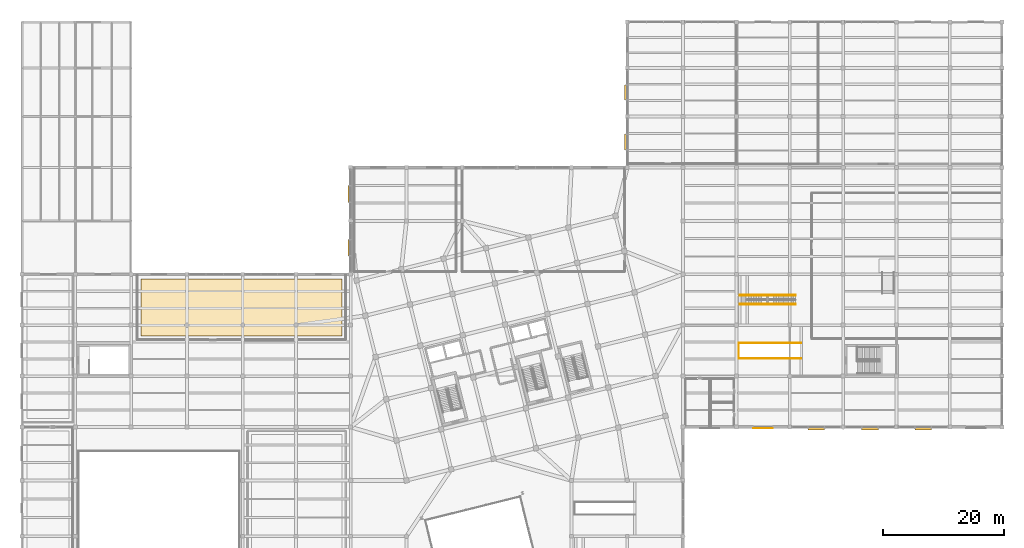
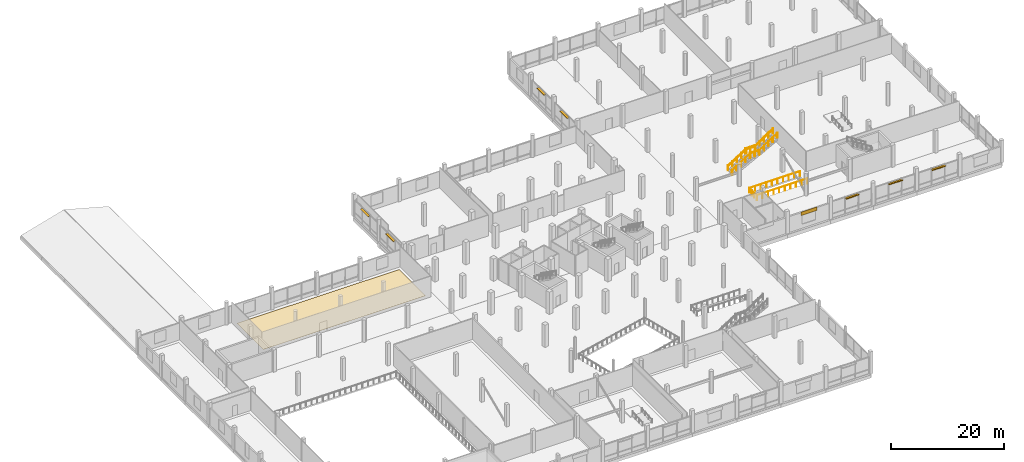
# One storey, part 70 of 71: 15 railings, 7 shading devices, 2 coverings.
"""IFC4 building model written with IfcOpenShell, lengths in metres."""

from ifc_helpers import new_model, si_unit, direction, frame, origin, origin_2d, place, context, subcontext, project, spatial, polyline, rectangle, circle, outline, extrude, material, layer, layer_set, type_object, element, save


model = new_model("IFC4")

# Units and contexts
model_context = context("Model", 3, precision=1e-05, world=origin(), true_north=direction((0.0, 1.0)))
body_context = subcontext(model_context, "Body", "Model", "MODEL_VIEW")
ifc_project = project(units=[si_unit("LENGTHUNIT", "METRE"), si_unit("AREAUNIT", "SQUARE_METRE"), si_unit("VOLUMEUNIT", "CUBIC_METRE"), si_unit("PLANEANGLEUNIT", "RADIAN"), si_unit("MASSUNIT", "GRAM", prefix="KILO")], contexts=[model_context])

# Site, building, storey
site_placement = place(None, origin())
site = spatial("IfcSite", under=ifc_project, at=site_placement, CompositionType="ELEMENT")
building_placement = place(site_placement, origin())
building = spatial("IfcBuilding", under=site, at=building_placement, Name="Meriwether Solvik Hall", CompositionType="ELEMENT")
storey_placement = place(building_placement, frame((0.0, 0.0, 5.10009765625)))
storey = spatial("IfcBuildingStorey", under=building, at=storey_placement, Name="L01", CompositionType="ELEMENT", Elevation=5.10009765625)

# Coverings
ifc_material_1 = material(Name="Glazed Extruded Terracotta Ceramic", Category="masonry")
ifc_layer_1 = layer(ifc_material_1, 0.044921875)
ifc_layer_set_1 = layer_set([ifc_layer_1], Name="Glazed Extruded Terracotta Ceramic")
covering_type_1 = type_object("IfcCoveringType", Name="COV-CLAD-TERRA", PredefinedType="CLADDING", material=ifc_layer_set_1)
covering_1_placement = place(storey_placement, frame((127.39990234375, 49.824951171875, 2.809814453125), z_axis=(0.0, 0.0, 1.0), x_axis=(-1.0, 0.0, 0.0)))
element("IfcCovering", 1, at=covering_1_placement, inside=storey, type_object=covering_type_1, Name="L01 Facade Cladding XF_14_13", PredefinedType="CLADDING", context=body_context, shape_type="SweptSolid", body=[
    extrude(rectangle(XDim=3.199951171875, YDim=0.044921875, at=origin_2d()), origin(), (0.0, 0.0, 1.0), 0.75),
])
ifc_material_2 = material(Name="Solid White Oak Strip Timber", Category="wood")
ifc_layer_2 = layer(ifc_material_2, 0.028076171875)
ifc_layer_set_2 = layer_set([ifc_layer_2], Name="Solid White Oak Strip Timber")
covering_type_2 = type_object("IfcCoveringType", Name="COV-FLR-OAK", PredefinedType="FLOORING", material=ifc_layer_set_2)
covering_2_placement = place(storey_placement, origin())
element("IfcCovering", 2, at=covering_2_placement, inside=storey, type_object=covering_type_2, Name="Civic Arts and Ceramic Studio Finish Flooring", PredefinedType="FLOORING", context=body_context, shape_type="SweptSolid", body=[
    extrude(outline(polyline([(24.85009765625, 65.050048828125), (24.85009765625, 74.39990234375), (57.949951171875, 74.39990234375), (57.949951171875, 65.050048828125), (24.85009765625, 65.050048828125)])), origin(), (0.0, 0.0, 1.0), 0.02783203125),
])

# Railings
ifc_material_3 = material(Name="Steel A36 Galvanised", Category="steel")
ifc_layer_3 = layer(ifc_material_3, 0.054931640625)
ifc_layer_set_3 = layer_set([ifc_layer_3], Name="Steel A36 Galvanised")
railing_type_1 = type_object("IfcRailingType", Name="RAIL-STR-GUARD", PredefinedType="GUARDRAIL", material=ifc_layer_set_3)
railing_1_placement = place(storey_placement, frame((133.68994140625, 61.31005859375, 0.0)))
element("IfcRailing", 3, at=railing_1_placement, inside=storey, type_object=railing_type_1, Name="Stair ST-LB2 Arrival Well Guardrail (L01) 1", PredefinedType="GUARDRAIL", context=body_context, shape_type="SweptSolid", body=[
    extrude(circle(Radius=0.02392578125, at=origin_2d()), frame((0.0, 0.0, 1.09619140625), z_axis=(-1.0, 0.0, 0.0), x_axis=(0.0, -1.0, 0.0)), (0.0, 0.0, 1.0), 10.267822265625),
    extrude(circle(Radius=0.02099609375, at=origin_2d()), origin(), (0.0, 0.0, 1.0), 1.072021484375),
    extrude(circle(Radius=0.02099609375, at=origin_2d()), frame((-1.140869140625, 0.0, 0.0)), (0.0, 0.0, 1.0), 1.072021484375),
    extrude(circle(Radius=0.02099609375, at=origin_2d()), frame((-2.28173828125, 0.0, 0.0)), (0.0, 0.0, 1.0), 1.072021484375),
    extrude(circle(Radius=0.02099609375, at=origin_2d()), frame((-3.422607421875, 0.0, 0.0)), (0.0, 0.0, 1.0), 1.072021484375),
    extrude(circle(Radius=0.02099609375, at=origin_2d()), frame((-4.5634765625, 0.0, 0.0)), (0.0, 0.0, 1.0), 1.072021484375),
    extrude(circle(Radius=0.02099609375, at=origin_2d()), frame((-5.704345703125, 0.0, 0.0)), (0.0, 0.0, 1.0), 1.072021484375),
    extrude(circle(Radius=0.02099609375, at=origin_2d()), frame((-6.84521484375, 0.0, 0.0)), (0.0, 0.0, 1.0), 1.072021484375),
    extrude(circle(Radius=0.02099609375, at=origin_2d()), frame((-7.986083984375, 0.0, 0.0)), (0.0, 0.0, 1.0), 1.072021484375),
    extrude(circle(Radius=0.02099609375, at=origin_2d()), frame((-9.126953125, 0.0, 0.0)), (0.0, 0.0, 1.0), 1.072021484375),
    extrude(circle(Radius=0.02099609375, at=origin_2d()), frame((-10.267822265625, 0.0, 0.0)), (0.0, 0.0, 1.0), 1.072021484375),
])
railing_2_placement = place(storey_placement, frame((123.389892578125, 61.342041015625, 0.0)))
element("IfcRailing", 4, at=railing_2_placement, inside=storey, type_object=railing_type_1, Name="Stair ST-LB2 Arrival Well Guardrail (L01) 2", PredefinedType="GUARDRAIL", context=body_context, shape_type="SweptSolid", body=[
    extrude(circle(Radius=0.02392578125, at=origin_2d()), frame((0.0, 0.0, 1.09619140625), z_axis=(0.0, 1.0, 0.0), x_axis=(-1.0, 0.0, 0.0)), (0.0, 0.0, 1.0), 2.515869140625),
    extrude(circle(Radius=0.02099609375, at=origin_2d()), origin(), (0.0, 0.0, 1.0), 1.072021484375),
    extrude(circle(Radius=0.02099609375, at=origin_2d()), frame((0.0, 0.838623046875, 0.0)), (0.0, 0.0, 1.0), 1.072021484375),
    extrude(circle(Radius=0.02099609375, at=origin_2d()), frame((0.0, 1.67724609375, 0.0)), (0.0, 0.0, 1.0), 1.072021484375),
    extrude(circle(Radius=0.02099609375, at=origin_2d()), frame((0.0, 2.515869140625, 0.0)), (0.0, 0.0, 1.0), 1.072021484375),
])
railing_3_placement = place(storey_placement, frame((123.422119140625, 63.889892578125, 0.0)))
element("IfcRailing", 5, at=railing_3_placement, inside=storey, type_object=railing_type_1, Name="Stair ST-LB2 Arrival Well Guardrail (L01) 3", PredefinedType="GUARDRAIL", context=body_context, shape_type="SweptSolid", body=[
    extrude(circle(Radius=0.02392578125, at=origin_2d()), frame((0.0, 0.0, 1.09619140625), z_axis=(1.0, 0.0, 0.0), x_axis=(0.0, 1.0, 0.0)), (0.0, 0.0, 1.0), 10.267822265625),
    extrude(circle(Radius=0.02099609375, at=origin_2d()), origin(), (0.0, 0.0, 1.0), 1.072021484375),
    extrude(circle(Radius=0.02099609375, at=origin_2d()), frame((1.140869140625, 0.0, 0.0)), (0.0, 0.0, 1.0), 1.072021484375),
    extrude(circle(Radius=0.02099609375, at=origin_2d()), frame((2.28173828125, 0.0, 0.0)), (0.0, 0.0, 1.0), 1.072021484375),
    extrude(circle(Radius=0.02099609375, at=origin_2d()), frame((3.422607421875, 0.0, 0.0)), (0.0, 0.0, 1.0), 1.072021484375),
    extrude(circle(Radius=0.02099609375, at=origin_2d()), frame((4.5634765625, 0.0, 0.0)), (0.0, 0.0, 1.0), 1.072021484375),
    extrude(circle(Radius=0.02099609375, at=origin_2d()), frame((5.704345703125, 0.0, 0.0)), (0.0, 0.0, 1.0), 1.072021484375),
    extrude(circle(Radius=0.02099609375, at=origin_2d()), frame((6.84521484375, 0.0, 0.0)), (0.0, 0.0, 1.0), 1.072021484375),
    extrude(circle(Radius=0.02099609375, at=origin_2d()), frame((7.986083984375, 0.0, 0.0)), (0.0, 0.0, 1.0), 1.072021484375),
    extrude(circle(Radius=0.02099609375, at=origin_2d()), frame((9.126953125, 0.0, 0.0)), (0.0, 0.0, 1.0), 1.072021484375),
    extrude(circle(Radius=0.02099609375, at=origin_2d()), frame((10.267822265625, 0.0, 0.0)), (0.0, 0.0, 1.0), 1.072021484375),
])
railing_4_placement = place(storey_placement, frame((123.550048828125, 70.205078125, 0.0)))
element("IfcRailing", 6, at=railing_4_placement, inside=storey, type_object=railing_type_1, Name="Stair ST-LB1 Guardrail L 1", PredefinedType="GUARDRAIL", context=body_context, shape_type="SweptSolid", body=[
    extrude(circle(Radius=0.02392578125, at=origin_2d()), frame((0.0, 0.0, 1.09619140625), z_axis=(0.83485553818, 0.0, 0.550469100286), x_axis=(0.0, 1.0, 0.0)), (0.0, 0.0, 1.0), 4.321533203125),
    extrude(circle(Radius=0.02099609375, at=origin_2d()), origin(), (0.0, 0.0, 1.0), 1.072021484375),
    extrude(circle(Radius=0.02099609375, at=origin_2d()), frame((0.90185546875, 0.0, 0.5947265625)), (0.0, 0.0, 1.0), 1.072021484375),
    extrude(circle(Radius=0.02099609375, at=origin_2d()), frame((1.803955078125, 0.0, 1.189453125)), (0.0, 0.0, 1.0), 1.072021484375),
    extrude(circle(Radius=0.02099609375, at=origin_2d()), frame((2.7060546875, 0.0, 1.7841796875)), (0.0, 0.0, 1.0), 1.072021484375),
    extrude(circle(Radius=0.02099609375, at=origin_2d()), frame((3.60791015625, 0.0, 2.37890625)), (0.0, 0.0, 1.0), 1.072021484375),
])
railing_5_placement = place(storey_placement, frame((127.221923828125, 70.205078125, 2.39990234375)))
element("IfcRailing", 7, at=railing_5_placement, inside=storey, type_object=railing_type_1, Name="Stair ST-LB1 Guardrail L 2", PredefinedType="GUARDRAIL", context=body_context, shape_type="SweptSolid", body=[
    extrude(circle(Radius=0.02392578125, at=origin_2d()), frame((0.0, 0.0, 1.09619140625), z_axis=(1.0, 0.0, 0.0), x_axis=(0.0, 1.0, 0.0)), (0.0, 0.0, 1.0), 1.836181640625),
    extrude(circle(Radius=0.02099609375, at=origin_2d()), origin(), (0.0, 0.0, 1.0), 1.072021484375),
    extrude(circle(Radius=0.02099609375, at=origin_2d()), frame((0.91796875, 0.0, 0.0)), (0.0, 0.0, 1.0), 1.072021484375),
    extrude(circle(Radius=0.02099609375, at=origin_2d()), frame((1.836181640625, 0.0, 0.0)), (0.0, 0.0, 1.0), 1.072021484375),
])
for number, where, name in (
    (8, (129.1220703125, 70.205078125, 2.4208984375), "Stair ST-LB1 Guardrail L 3"),
    (9, (123.550048828125, 71.794921875, 0.0), "Stair ST-LB1 Guardrail R 1"),
):
    element("IfcRailing", number, at=place(storey_placement, frame(where)), inside=storey, type_object=railing_type_1, Name=name, PredefinedType="GUARDRAIL", context=body_context, shape_type="SweptSolid", body=[
        extrude(circle(Radius=0.02392578125, at=origin_2d()), frame((0.0, 0.0, 1.09619140625), z_axis=(0.83485553818, 0.0, 0.550469100286), x_axis=(0.0, 1.0, 0.0)), (0.0, 0.0, 1.0), 4.321533203125),
        extrude(circle(Radius=0.02099609375, at=origin_2d()), origin(), (0.0, 0.0, 1.0), 1.072021484375),
        extrude(circle(Radius=0.02099609375, at=origin_2d()), frame((0.90185546875, 0.0, 0.5947265625)), (0.0, 0.0, 1.0), 1.072021484375),
        extrude(circle(Radius=0.02099609375, at=origin_2d()), frame((1.803955078125, 0.0, 1.189453125)), (0.0, 0.0, 1.0), 1.072021484375),
        extrude(circle(Radius=0.02099609375, at=origin_2d()), frame((2.7060546875, 0.0, 1.7841796875)), (0.0, 0.0, 1.0), 1.072021484375),
        extrude(circle(Radius=0.02099609375, at=origin_2d()), frame((3.60791015625, 0.0, 2.37890625)), (0.0, 0.0, 1.0), 1.072021484375),
    ])
railing_6_placement = place(storey_placement, frame((127.221923828125, 71.794921875, 2.39990234375)))
element("IfcRailing", 10, at=railing_6_placement, inside=storey, type_object=railing_type_1, Name="Stair ST-LB1 Guardrail R 2", PredefinedType="GUARDRAIL", context=body_context, shape_type="SweptSolid", body=[
    extrude(circle(Radius=0.02392578125, at=origin_2d()), frame((0.0, 0.0, 1.09619140625), z_axis=(1.0, 0.0, 0.0), x_axis=(0.0, 1.0, 0.0)), (0.0, 0.0, 1.0), 1.836181640625),
    extrude(circle(Radius=0.02099609375, at=origin_2d()), origin(), (0.0, 0.0, 1.0), 1.072021484375),
    extrude(circle(Radius=0.02099609375, at=origin_2d()), frame((0.91796875, 0.0, 0.0)), (0.0, 0.0, 1.0), 1.072021484375),
    extrude(circle(Radius=0.02099609375, at=origin_2d()), frame((1.836181640625, 0.0, 0.0)), (0.0, 0.0, 1.0), 1.072021484375),
])
railing_7_placement = place(storey_placement, frame((129.1220703125, 71.794921875, 2.4208984375)))
element("IfcRailing", 11, at=railing_7_placement, inside=storey, type_object=railing_type_1, Name="Stair ST-LB1 Guardrail R 3", PredefinedType="GUARDRAIL", context=body_context, shape_type="SweptSolid", body=[
    extrude(circle(Radius=0.02392578125, at=origin_2d()), frame((0.0, 0.0, 1.09619140625), z_axis=(0.83485553818, 0.0, 0.550469100286), x_axis=(0.0, 1.0, 0.0)), (0.0, 0.0, 1.0), 4.321533203125),
    extrude(circle(Radius=0.02099609375, at=origin_2d()), origin(), (0.0, 0.0, 1.0), 1.072021484375),
    extrude(circle(Radius=0.02099609375, at=origin_2d()), frame((0.90185546875, 0.0, 0.5947265625)), (0.0, 0.0, 1.0), 1.072021484375),
    extrude(circle(Radius=0.02099609375, at=origin_2d()), frame((1.803955078125, 0.0, 1.189453125)), (0.0, 0.0, 1.0), 1.072021484375),
    extrude(circle(Radius=0.02099609375, at=origin_2d()), frame((2.7060546875, 0.0, 1.7841796875)), (0.0, 0.0, 1.0), 1.072021484375),
    extrude(circle(Radius=0.02099609375, at=origin_2d()), frame((3.60791015625, 0.0, 2.37890625)), (0.0, 0.0, 1.0), 1.072021484375),
])
ifc_material_4 = material(Name="Stainless Steel AISI 316", Category="steel")
ifc_layer_4 = layer(ifc_material_4, 0.044921875)
ifc_layer_set_4 = layer_set([ifc_layer_4], Name="Stainless Steel AISI 316")
railing_type_2 = type_object("IfcRailingType", Name="RAIL-STR-HAND", PredefinedType="HANDRAIL", material=ifc_layer_set_4)
railing_8_placement = place(storey_placement, frame((123.550048828125, 70.324951171875, 0.0)))
element("IfcRailing", 12, at=railing_8_placement, inside=storey, type_object=railing_type_2, Name="Stair ST-LB1 Handrail L 1", PredefinedType="HANDRAIL", context=body_context, shape_type="SweptSolid", body=[
    extrude(circle(Radius=0.02392578125, at=origin_2d()), frame((0.0, 0.0, 0.89599609375), z_axis=(0.834877630396, 0.0, 0.550435593202), x_axis=(0.0, 1.0, 0.0)), (0.0, 0.0, 1.0), 4.3671875),
    extrude(circle(Radius=0.02099609375, at=origin_2d()), origin(), (0.0, 0.0, 1.0), 0.871826171875),
    extrude(circle(Radius=0.02099609375, at=origin_2d()), frame((0.91162109375, 0.0, 0.60107421875)), (0.0, 0.0, 1.0), 0.871826171875),
    extrude(circle(Radius=0.02099609375, at=origin_2d()), frame((1.822998046875, 0.0, 1.201904296875)), (0.0, 0.0, 1.0), 0.871826171875),
    extrude(circle(Radius=0.02099609375, at=origin_2d()), frame((2.734375, 0.0, 1.802734375)), (0.0, 0.0, 1.0), 0.871826171875),
    extrude(circle(Radius=0.02099609375, at=origin_2d()), frame((3.64599609375, 0.0, 2.40380859375)), (0.0, 0.0, 1.0), 0.871826171875),
])
railing_9_placement = place(storey_placement, frame((127.2548828125, 70.324951171875, 2.39990234375)))
element("IfcRailing", 13, at=railing_9_placement, inside=storey, type_object=railing_type_2, Name="Stair ST-LB1 Handrail L 2", PredefinedType="HANDRAIL", context=body_context, shape_type="SweptSolid", body=[
    extrude(circle(Radius=0.02392578125, at=origin_2d()), frame((0.0, 0.0, 0.89599609375), z_axis=(1.0, 0.0, 0.0), x_axis=(0.0, 1.0, 0.0)), (0.0, 0.0, 1.0), 1.77001953125),
    extrude(circle(Radius=0.02099609375, at=origin_2d()), origin(), (0.0, 0.0, 1.0), 0.871826171875),
    extrude(circle(Radius=0.02099609375, at=origin_2d()), frame((0.885009765625, 0.0, 0.0)), (0.0, 0.0, 1.0), 0.871826171875),
    extrude(circle(Radius=0.02099609375, at=origin_2d()), frame((1.77001953125, 0.0, 0.0)), (0.0, 0.0, 1.0), 0.871826171875),
])
railing_10_placement = place(storey_placement, frame((129.090087890625, 70.324951171875, 2.39990234375)))
element("IfcRailing", 14, at=railing_10_placement, inside=storey, type_object=railing_type_2, Name="Stair ST-LB1 Handrail L 3", PredefinedType="HANDRAIL", context=body_context, shape_type="SweptSolid", body=[
    extrude(circle(Radius=0.02392578125, at=origin_2d()), frame((0.0, 0.0, 0.89599609375), z_axis=(0.834851939573, 0.0, 0.550474557987), x_axis=(0.0, 1.0, 0.0)), (0.0, 0.0, 1.0), 4.3671875),
    extrude(circle(Radius=0.02099609375, at=origin_2d()), origin(), (0.0, 0.0, 1.0), 0.871826171875),
    extrude(circle(Radius=0.02099609375, at=origin_2d()), frame((0.91162109375, 0.0, 0.60107421875)), (0.0, 0.0, 1.0), 0.871826171875),
    extrude(circle(Radius=0.02099609375, at=origin_2d()), frame((1.822998046875, 0.0, 1.2021484375)), (0.0, 0.0, 1.0), 0.871826171875),
    extrude(circle(Radius=0.02099609375, at=origin_2d()), frame((2.734375, 0.0, 1.802978515625)), (0.0, 0.0, 1.0), 0.871826171875),
    extrude(circle(Radius=0.02099609375, at=origin_2d()), frame((3.64599609375, 0.0, 2.404052734375)), (0.0, 0.0, 1.0), 0.871826171875),
])
railing_11_placement = place(storey_placement, frame((123.550048828125, 71.675048828125, 0.0)))
element("IfcRailing", 15, at=railing_11_placement, inside=storey, type_object=railing_type_2, Name="Stair ST-LB1 Handrail R 1", PredefinedType="HANDRAIL", context=body_context, shape_type="SweptSolid", body=[
    extrude(circle(Radius=0.02392578125, at=origin_2d()), frame((0.0, 0.0, 0.89599609375), z_axis=(0.834877630396, 0.0, 0.550435593202), x_axis=(0.0, 1.0, 0.0)), (0.0, 0.0, 1.0), 4.3671875),
    extrude(circle(Radius=0.02099609375, at=origin_2d()), origin(), (0.0, 0.0, 1.0), 0.871826171875),
    extrude(circle(Radius=0.02099609375, at=origin_2d()), frame((0.91162109375, 0.0, 0.60107421875)), (0.0, 0.0, 1.0), 0.871826171875),
    extrude(circle(Radius=0.02099609375, at=origin_2d()), frame((1.822998046875, 0.0, 1.201904296875)), (0.0, 0.0, 1.0), 0.871826171875),
    extrude(circle(Radius=0.02099609375, at=origin_2d()), frame((2.734375, 0.0, 1.802734375)), (0.0, 0.0, 1.0), 0.871826171875),
    extrude(circle(Radius=0.02099609375, at=origin_2d()), frame((3.64599609375, 0.0, 2.40380859375)), (0.0, 0.0, 1.0), 0.871826171875),
])
railing_12_placement = place(storey_placement, frame((127.2548828125, 71.675048828125, 2.39990234375)))
element("IfcRailing", 16, at=railing_12_placement, inside=storey, type_object=railing_type_2, Name="Stair ST-LB1 Handrail R 2", PredefinedType="HANDRAIL", context=body_context, shape_type="SweptSolid", body=[
    extrude(circle(Radius=0.02392578125, at=origin_2d()), frame((0.0, 0.0, 0.89599609375), z_axis=(1.0, 0.0, 0.0), x_axis=(0.0, 1.0, 0.0)), (0.0, 0.0, 1.0), 1.77001953125),
    extrude(circle(Radius=0.02099609375, at=origin_2d()), origin(), (0.0, 0.0, 1.0), 0.871826171875),
    extrude(circle(Radius=0.02099609375, at=origin_2d()), frame((0.885009765625, 0.0, 0.0)), (0.0, 0.0, 1.0), 0.871826171875),
    extrude(circle(Radius=0.02099609375, at=origin_2d()), frame((1.77001953125, 0.0, 0.0)), (0.0, 0.0, 1.0), 0.871826171875),
])
railing_13_placement = place(storey_placement, frame((129.090087890625, 71.675048828125, 2.39990234375)))
element("IfcRailing", 17, at=railing_13_placement, inside=storey, type_object=railing_type_2, Name="Stair ST-LB1 Handrail R 3", PredefinedType="HANDRAIL", context=body_context, shape_type="SweptSolid", body=[
    extrude(circle(Radius=0.02392578125, at=origin_2d()), frame((0.0, 0.0, 0.89599609375), z_axis=(0.834851939573, 0.0, 0.550474557987), x_axis=(0.0, 1.0, 0.0)), (0.0, 0.0, 1.0), 4.3671875),
    extrude(circle(Radius=0.02099609375, at=origin_2d()), origin(), (0.0, 0.0, 1.0), 0.871826171875),
    extrude(circle(Radius=0.02099609375, at=origin_2d()), frame((0.91162109375, 0.0, 0.60107421875)), (0.0, 0.0, 1.0), 0.871826171875),
    extrude(circle(Radius=0.02099609375, at=origin_2d()), frame((1.822998046875, 0.0, 1.2021484375)), (0.0, 0.0, 1.0), 0.871826171875),
    extrude(circle(Radius=0.02099609375, at=origin_2d()), frame((2.734375, 0.0, 1.802978515625)), (0.0, 0.0, 1.0), 0.871826171875),
    extrude(circle(Radius=0.02099609375, at=origin_2d()), frame((3.64599609375, 0.0, 2.404052734375)), (0.0, 0.0, 1.0), 0.871826171875),
])

# Shading devices
ifc_material_5 = material(Name="Anodised Aluminium 6063-T6", Category="aluminium")
shading_device_type_1 = type_object("IfcShadingDeviceType", Name="SHD-LOUVRE-S", PredefinedType="SHUTTER", material=ifc_material_5)
for number, where, z_axis, x_axis, name in (
    (18, (136.175048828125, 49.760009765625, 3.349853515625), (0.0, 0.0, 1.0), (-1.0, 0.0, 0.0), "Solar Shading Louvre wing_XF_15_14"),
    (19, (145.02490234375, 49.760009765625, 3.349853515625), (0.0, 0.0, 1.0), (-1.0, 0.0, 0.0), "Solar Shading Louvre wing_XF_16_15"),
):
    element("IfcShadingDevice", number, at=place(storey_placement, frame(where, z_axis=z_axis, x_axis=x_axis)), inside=storey, type_object=shading_device_type_1, Name=name, PredefinedType="SHUTTER", context=body_context, shape_type="SweptSolid", body=[
        extrude(rectangle(XDim=2.743896484375, YDim=0.4599609375, at=origin_2d()), origin(), (0.0, 0.0, 1.0), 0.080078125),
    ])
shading_device_1_placement = place(storey_placement, frame((153.800048828125, 49.760009765625, 3.349853515625), z_axis=(0.0, 0.0, 1.0), x_axis=(-1.0, 0.0, 0.0)))
element("IfcShadingDevice", 20, at=shading_device_1_placement, inside=storey, type_object=shading_device_type_1, Name="Solar Shading Louvre wing_XF_17_16", PredefinedType="SHUTTER", context=body_context, shape_type="SweptSolid", body=[
    extrude(rectangle(XDim=2.7607421875, YDim=0.4599609375, at=origin_2d()), origin(), (0.0, 0.0, 1.0), 0.080078125),
])
ifc_material_6 = material(Name="Anodised Aluminium 6063-T6", Category="aluminium")
shading_device_type_2 = type_object("IfcShadingDeviceType", Name="SHD-LOUVRE-W", PredefinedType="USERDEFINED", material=ifc_material_6)
for number, where, z_axis, x_axis, name in (
    (21, (59.159912109375, 79.574951171875, 3.349853515625), (0.0, 0.0, 1.0), (0.0, 1.0, 0.0), "Solar Shading Louvre wing_Y7_9_44"),
    (22, (59.159912109375, 88.425048828125, 3.349853515625), (0.0, 0.0, 1.0), (0.0, 1.0, 0.0), "Solar Shading Louvre wing_Y7_10_45"),
):
    element("IfcShadingDevice", number, at=place(storey_placement, frame(where, z_axis=z_axis, x_axis=x_axis)), inside=storey, type_object=shading_device_type_2, Name=name, ObjectType="LOUVER", PredefinedType="USERDEFINED", context=body_context, shape_type="SweptSolid", body=[
        extrude(rectangle(XDim=2.743896484375, YDim=0.4599609375, at=origin_2d()), origin(), (0.0, 0.0, 1.0), 0.080078125),
    ])
shading_device_2_placement = place(storey_placement, frame((104.760009765625, 97.0, 3.349853515625), z_axis=(0.0, 0.0, 1.0), x_axis=(0.0, 1.0, 0.0)))
element("IfcShadingDevice", 23, at=shading_device_2_placement, inside=storey, type_object=shading_device_type_2, Name="Solar Shading Louvre wing_Y12_11_46", ObjectType="LOUVER", PredefinedType="USERDEFINED", context=body_context, shape_type="SweptSolid", body=[
    extrude(rectangle(XDim=2.627197265625, YDim=0.4599609375, at=origin_2d()), origin(), (0.0, 0.0, 1.0), 0.080078125),
])
shading_device_3_placement = place(storey_placement, frame((104.760009765625, 105.199951171875, 3.349853515625), z_axis=(0.0, 0.0, 1.0), x_axis=(0.0, 1.0, 0.0)))
element("IfcShadingDevice", 24, at=shading_device_3_placement, inside=storey, type_object=shading_device_type_2, Name="Solar Shading Louvre wing_Y12_12_47", ObjectType="LOUVER", PredefinedType="USERDEFINED", context=body_context, shape_type="SweptSolid", body=[
    extrude(rectangle(XDim=2.493896484375, YDim=0.4599609375, at=origin_2d()), origin(), (0.0, 0.0, 1.0), 0.080078125),
])

save(model, "model.ifc")
